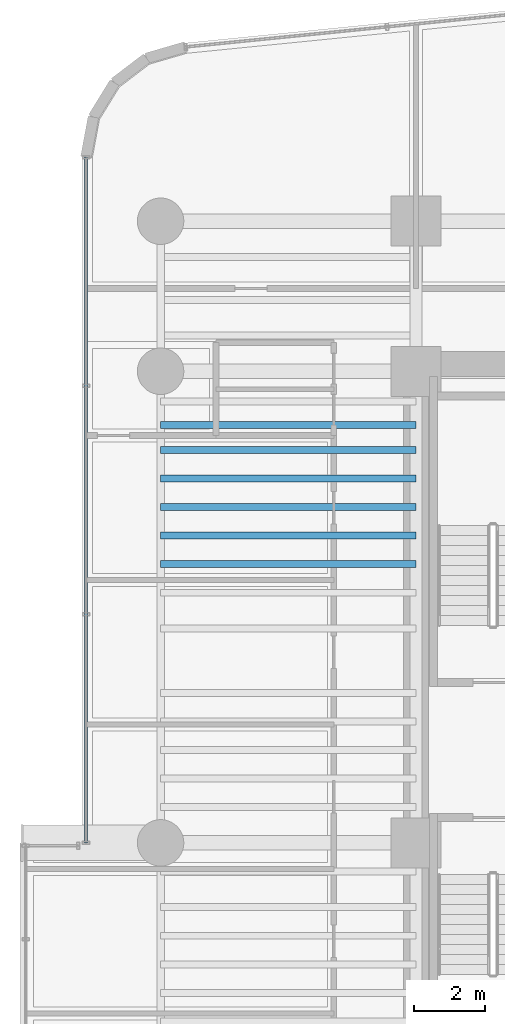
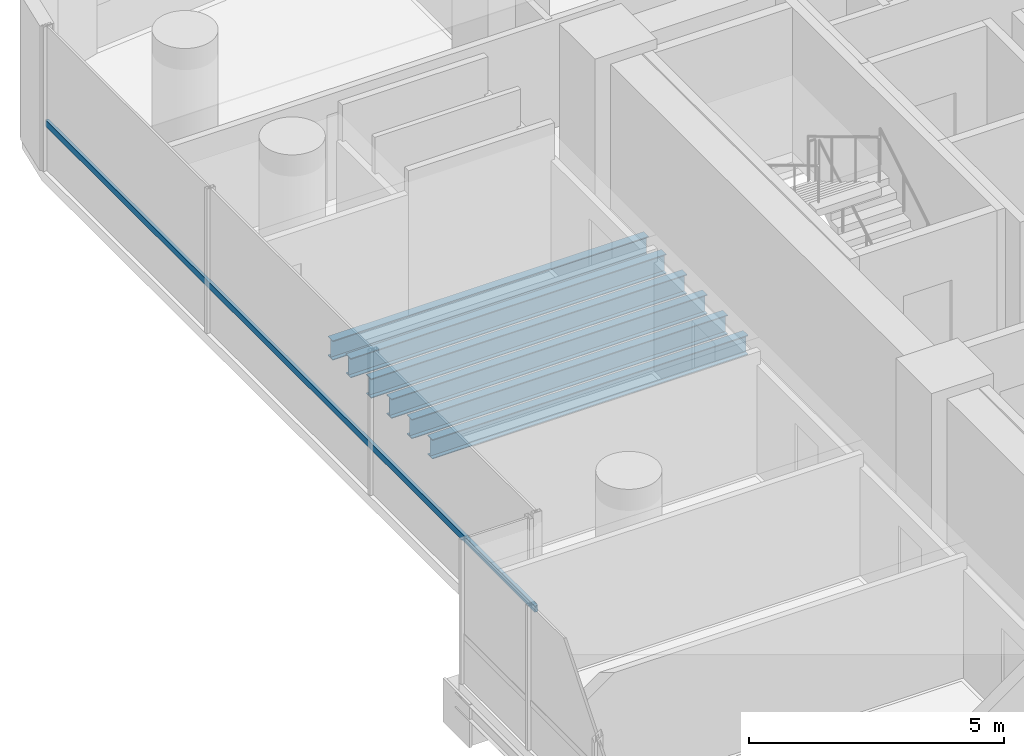
# One storey, part 9 of 39: 6 beams, 1 member, 1 element without a shape of its own.
"""IFC4 building model written with IfcOpenShell, lengths in metres."""

from ifc_helpers import new_model, si_unit, direction, frame, origin, origin_2d, place, context, subcontext, project, spatial, hollow_rectangle, i_section, extrude, source, transform, mapped, material, material_profile, profile_set, type_object, element, aggregate, save


model = new_model("IFC4")

# Units and contexts
model_context = context("Model", 3, precision=1e-05, world=origin(), true_north=direction((0.0, 1.0)))
body_context = subcontext(model_context, "Body", "Model", "MODEL_VIEW")
ifc_project = project(units=[si_unit("LENGTHUNIT", "METRE"), si_unit("AREAUNIT", "SQUARE_METRE"), si_unit("VOLUMEUNIT", "CUBIC_METRE"), si_unit("PLANEANGLEUNIT", "RADIAN"), si_unit("MASSUNIT", "GRAM", prefix="KILO")], contexts=[model_context])

# Site, building, storey
site_placement = place(None, origin())
site = spatial("IfcSite", under=ifc_project, at=site_placement, CompositionType="ELEMENT")
building_placement = place(site_placement, origin())
building = spatial("IfcBuilding", under=site, at=building_placement, Name="Valdorenza Pilgrim Sanctuary Tower", CompositionType="ELEMENT")
storey_placement = place(building_placement, frame((0.0, 0.0, 33.39990234375)))
storey = spatial("IfcBuildingStorey", under=building, at=storey_placement, Name="L07", CompositionType="ELEMENT", Elevation=33.39990234375)

# Beams
ifc_material_1 = material(Name="Steel ASTM A992 Grade 50", Category="steel")
ifc_material_profile_1 = material_profile(ifc_material_1, i_section(OverallWidth=0.193115234375, OverallDepth=0.466064453125, WebThickness=0.011474609375, FlangeThickness=0.01904296875, at=origin_2d()), Name="W18X65")
ifc_profile_set_1 = profile_set([ifc_material_profile_1], Name="Steel ASTM A992 Grade 50")
beam_type = type_object("IfcBeamType", Name="STR-BM-JST-W18A", PredefinedType="JOIST", material=ifc_profile_set_1)
shared_shape_1 = source(origin(), body_context, "Body", "SweptSolid", [
    extrude(i_section(OverallWidth=0.193115234375, OverallDepth=0.466064453125, WebThickness=0.011474609375, FlangeThickness=0.01904296875, at=origin_2d()), origin(), (0.0, 0.0, 1.0), 7.150146484375),
])
for number, where, z_axis, x_axis, name in (
    (1, (-29.800048828125, 5.199951171875, -0.472900390625), (1.0, 0.0, 0.0), (0.0, 1.0, 0.0), "L07 Composite Floor Joist JST-WA-17"),
    (2, (-29.800048828125, 6.0, -0.472900390625), (1.0, 0.0, 0.0), (0.0, 1.0, 0.0), "L07 Composite Floor Joist JST-WA-18"),
    (3, (-29.800048828125, 6.800048828125, -0.472900390625), (1.0, 0.0, 0.0), (0.0, 1.0, 0.0), "L07 Composite Floor Joist JST-WA-19"),
    (4, (-29.800048828125, 7.60009765625, -0.472900390625), (1.0, 0.0, 0.0), (0.0, 1.0, 0.0), "L07 Composite Floor Joist JST-WA-20"),
    (5, (-29.800048828125, 8.39990234375, -0.472900390625), (1.0, 0.0, 0.0), (0.0, 1.0, 0.0), "L07 Composite Floor Joist JST-WA-21"),
    (6, (-29.800048828125, 9.10009765625, -0.472900390625), (1.0, 0.0, 0.0), (0.0, 1.0, 0.0), "L07 Composite Floor Joist JST-WA-22"),
):
    element("IfcBeam", number, at=place(storey_placement, frame(where, z_axis=z_axis, x_axis=x_axis)), inside=storey, type_object=beam_type, Name=name, PredefinedType="JOIST", context=body_context, shape_type="MappedRepresentation", body=[
        mapped(shared_shape_1, transform((0.0, 0.0, 0.0), x_axis=(1.0, 0.0, 0.0), y_axis=(0.0, 1.0, 0.0), z_axis=(0.0, 0.0, 1.0), scale=1.0)),
    ])

# Curtain wall, member
ifc_material_2 = material(Name="Curtain-wall IGU glazing", Category="glass")
curtain_wall_type = type_object("IfcCurtainWallType", Name="CW-SYS-02", PredefinedType="NOTDEFINED", material=ifc_material_2)
curtain_wall_placement = place(storey_placement, origin())
curtain_wall = element("IfcCurtainWall", 7, at=curtain_wall_placement, inside=storey, type_object=curtain_wall_type, Name="L07 Curtain Wall CW-L07-1-1S2", PredefinedType="NOTDEFINED")
ifc_material_3 = material(Name="Anodised aluminium AW-6060", Category="aluminium")
ifc_material_profile_2 = material_profile(ifc_material_3, hollow_rectangle(XDim=0.074951171875, YDim=0.14990234375, WallThickness=0.00390625, at=origin_2d()), Name="ALU-T 150x75x4")
ifc_profile_set_2 = profile_set([ifc_material_profile_2], Name="Anodised aluminium AW-6060")
member_type = type_object("IfcMemberType", Name="CW-TRN-02", PredefinedType="USERDEFINED", material=ifc_profile_set_2)
shared_shape_2 = source(origin(), body_context, "Body", "SweptSolid", [
    extrude(hollow_rectangle(XDim=0.074951171875, YDim=0.14990234375, WallThickness=0.00390625, at=origin_2d()), origin(), (0.0, 0.0, 1.0), 19.194091796875),
])
member_placement = place(storey_placement, frame((-31.889892578125, -2.60009765625, 1.1201171875), z_axis=(0.0, 1.0, 0.0), x_axis=(-1.0, 0.0, 0.0)))
member = element("IfcMember", 8, at=member_placement, type_object=member_type, Name="CW-L07-1-1S2 Transom 1", ObjectType="TRANSOM", PredefinedType="USERDEFINED", context=body_context, shape_type="MappedRepresentation", body=[
    mapped(shared_shape_2, transform((0.0, 0.0, 0.0), x_axis=(1.0, 0.0, 0.0), y_axis=(0.0, 1.0, 0.0), z_axis=(0.0, 0.0, 1.0), scale=1.0)),
])
aggregate(curtain_wall, [member])

save(model, "model.ifc")
